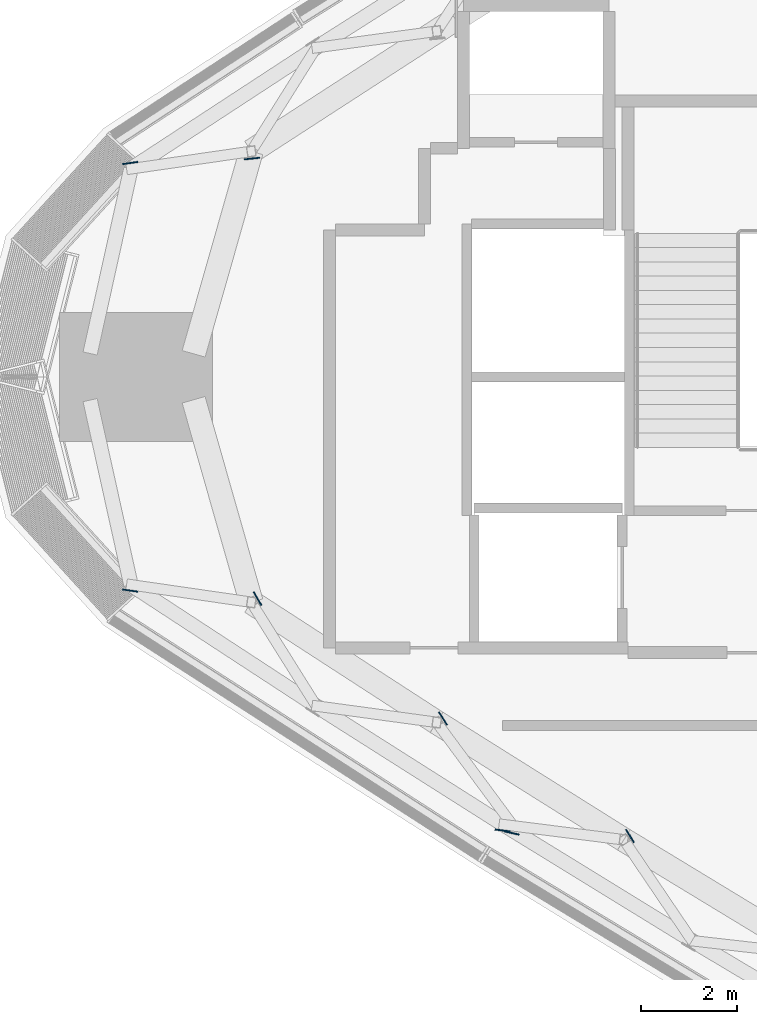
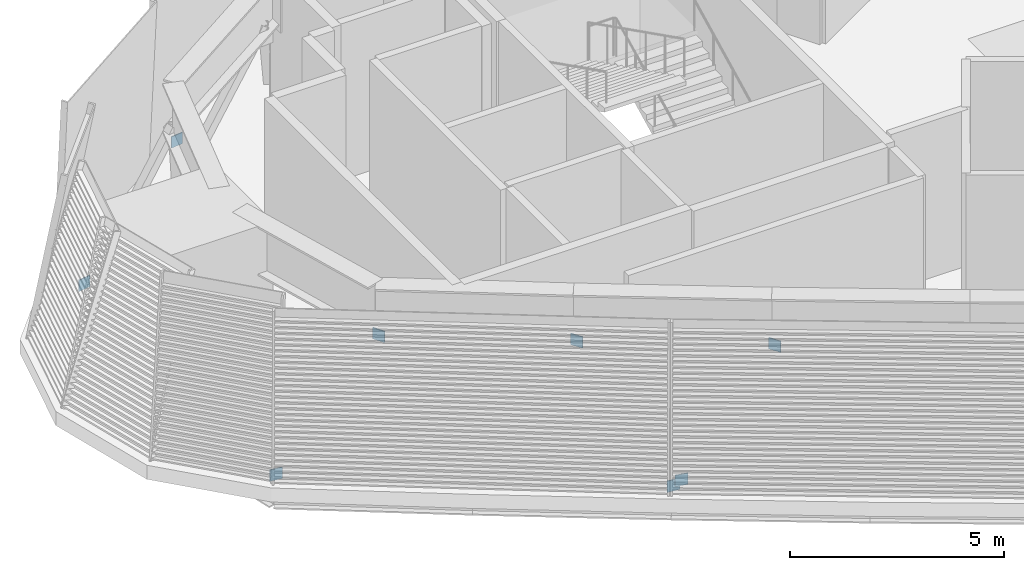
# One storey, part 7 of 18: 8 plates.
"""IFC4 building model written with IfcOpenShell, lengths in metres."""

from ifc_helpers import new_model, si_unit, direction, frame, origin, origin_2d, place, context, subcontext, project, spatial, rectangle, extrude, material, layer, layer_set, type_object, element, save


model = new_model("IFC4")

# Units and contexts
model_context = context("Model", 3, precision=1e-05, world=origin(), true_north=direction((0.0, 1.0)))
body_context = subcontext(model_context, "Body", "Model", "MODEL_VIEW")
ifc_project = project(units=[si_unit("LENGTHUNIT", "METRE"), si_unit("AREAUNIT", "SQUARE_METRE"), si_unit("VOLUMEUNIT", "CUBIC_METRE"), si_unit("PLANEANGLEUNIT", "RADIAN"), si_unit("MASSUNIT", "GRAM", prefix="KILO")], contexts=[model_context])

# Site, building, storey
site_placement = place(None, origin())
site = spatial("IfcSite", under=ifc_project, at=site_placement, CompositionType="ELEMENT")
building_placement = place(site_placement, origin())
building = spatial("IfcBuilding", under=site, at=building_placement, Name="Tamra Quay Hotel Tower", CompositionType="ELEMENT")
storey_placement = place(building_placement, frame((0.0, 0.0, 211.60009765625)))
storey = spatial("IfcBuildingStorey", under=building, at=storey_placement, Name="L53", CompositionType="ELEMENT", Elevation=211.60009765625)

# Plates
ifc_material = material(Name="Structural steel IS 2062 E350", Category="steel")
ifc_layer = layer(ifc_material, 0.02490234375)
ifc_layer_set = layer_set([ifc_layer], Name="BRACE END PLATE 25")
plate_type = type_object("IfcPlateType", Name="BRACE END PLATE 25", PredefinedType="SHEET", material=ifc_layer_set)
for number, where, z_axis, x_axis, name in (
    (1, (-26.6142578125, 4.4755859375, -0.39990234375), (0.0, 0.0, 1.0), (-0.143411439935, 0.989663154258, 0.0), "BEP-L53-020"),
    (2, (-26.6142578125, -4.4755859375, -0.39990234375), (0.0, 0.0, 1.0), (0.143411439935, 0.989663154258, 0.0), "BEP-L53-021"),
    (3, (-18.81396484375, -9.497802734375, -0.39990234375), (0.0, 0.0, 1.0), (0.124765259145, 0.992186288008, 0.0), "BEP-L53-023"),
    (4, (-24.060302734375, 4.569580078125, 2.72998046875), (0.0, 0.0, 1.0), (-0.106024576556, 0.994363509571, 0.0), "BEP-L53-048"),
    (5, (-23.945556640625, -4.644287109375, 2.72998046875), (0.0, 0.0, 1.0), (0.86677666031, 0.498696522088, 0.0), "BEP-L53-049"),
    (6, (-20.0634765625, -7.152099609375, 2.72998046875), (0.0, 0.0, 1.0), (0.844730755269, 0.53519150881, 0.0), "BEP-L53-050"),
    (7, (-16.14794921875, -9.614501953125, 2.72998046875), (0.0, 0.0, 1.0), (0.8530402522, 0.521845118907, 0.0), "BEP-L53-051"),
    (8, (-18.626220703125, -9.550048828125, -0.27880859375), (0.0, 0.0, 1.0), (0.213946020537, 0.976845484351, 0.0), "BEP-L53-060"),
):
    element("IfcPlate", number, at=place(storey_placement, frame(where, z_axis=z_axis, x_axis=x_axis)), inside=storey, type_object=plate_type, Name=name, PredefinedType="SHEET", context=body_context, shape_type="SweptSolid", body=[
        extrude(rectangle(XDim=0.02490234375, YDim=0.320068359375, at=origin_2d()), origin(), (0.0, 0.0, 1.0), 0.320068359375),
    ])

save(model, "model.ifc")
